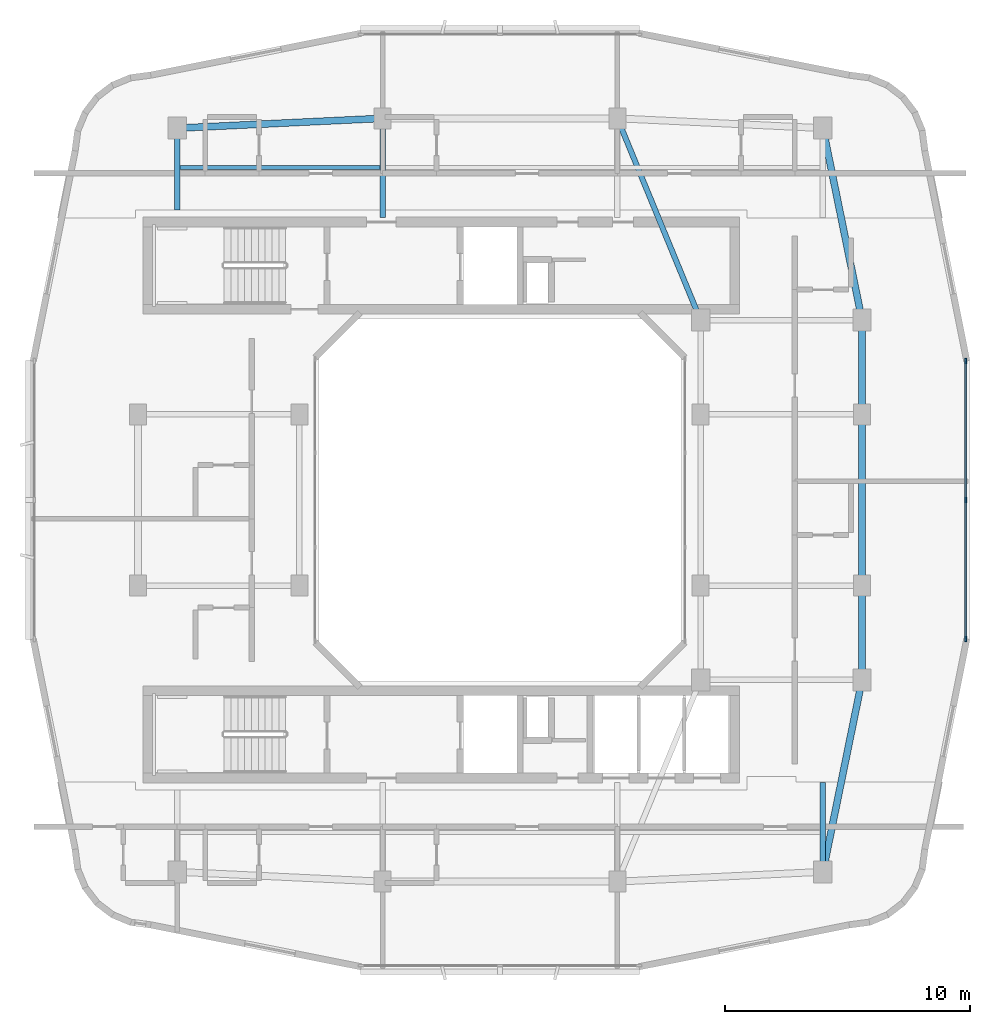
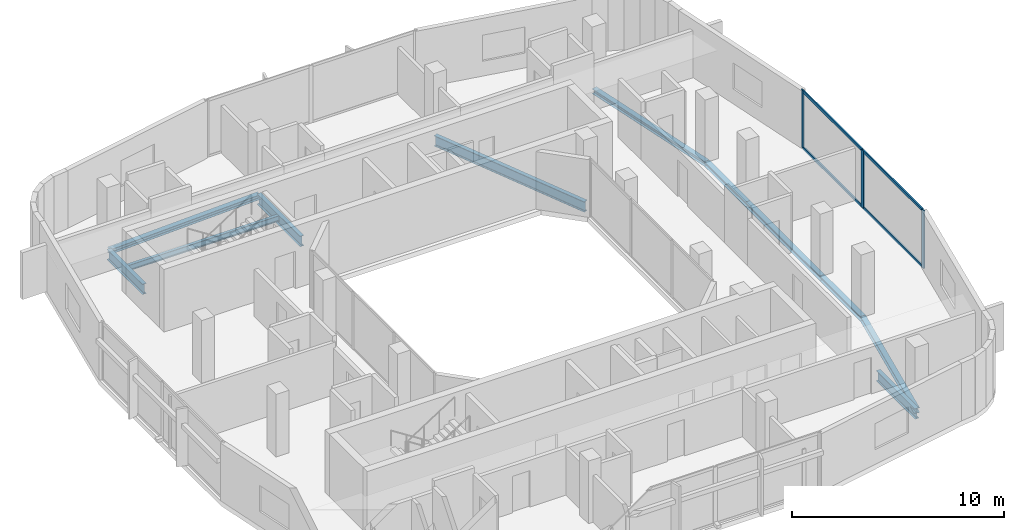
# One storey, part 4 of 14: 11 beams, 7 members, 1 element without a shape of its own.
"""IFC4 building model written with IfcOpenShell, lengths in metres."""

from ifc_helpers import new_model, si_unit, derived_unit, direction, frame, origin, origin_2d, place, context, subcontext, project, spatial, rectangle, i_section, extrude, material, layer, layer_set, material_profile, profile_set, type_object, element, aggregate, save


model = new_model("IFC4")

# Units and contexts
model_context = context("Model", 3, precision=1e-05, world=origin(), true_north=direction((0.0, 1.0)))
body_context = subcontext(model_context, "Body", "Model", "MODEL_VIEW")
ifc_project = project(units=[si_unit("LENGTHUNIT", "METRE"), si_unit("AREAUNIT", "SQUARE_METRE"), si_unit("VOLUMEUNIT", "CUBIC_METRE"), si_unit("PLANEANGLEUNIT", "RADIAN"), si_unit("MASSUNIT", "GRAM", prefix="KILO"), derived_unit("THERMALTRANSMITTANCEUNIT", [(si_unit("POWERUNIT", "WATT"), 1), (si_unit("LENGTHUNIT", "METRE"), -2), (si_unit("THERMODYNAMICTEMPERATUREUNIT", "KELVIN"), -1)])], contexts=[model_context])

# Site, building, storey
site_placement = place(None, origin())
site = spatial("IfcSite", under=ifc_project, at=site_placement, CompositionType="ELEMENT")
building_placement = place(site_placement, origin())
building = spatial("IfcBuilding", under=site, at=building_placement, Name="Kivonza Crest Hotel", CompositionType="ELEMENT")
storey_placement = place(building_placement, frame((0.0, 0.0, 217.10009765625)))
storey = spatial("IfcBuildingStorey", under=building, at=storey_placement, Name="L59", CompositionType="ELEMENT", Elevation=217.10009765625)

# Beams
ifc_material_1 = material(Name="Steel S355", Category="steel")
ifc_material_profile_1 = material_profile(ifc_material_1, i_section(OverallWidth=0.280029296875, OverallDepth=0.280029296875, WebThickness=0.010498046875, FlangeThickness=0.01806640625, FilletRadius=0.02392578125, at=origin_2d()), Name="HEB 280")
ifc_profile_set_1 = profile_set([ifc_material_profile_1], Name="Steel S355")
beam_type_1 = type_object("IfcBeamType", Name="BM-HEB280", PredefinedType="SPANDREL", material=ifc_profile_set_1)
beam_1_placement = place(storey_placement, frame((34.199951171875, 9.800048828125, -0.420166015625), z_axis=(0.199730733965, 0.979850822273, 0.0), x_axis=(-0.979850822273, 0.199730733965, 0.0)))
element("IfcBeam", 1, at=beam_1_placement, inside=storey, type_object=beam_type_1, Name="Tower T1 L59 perimeter spandrel SE-PSE", PredefinedType="SPANDREL", context=body_context, shape_type="SweptSolid", body=[
    extrude(i_section(OverallWidth=0.280029296875, OverallDepth=0.280029296875, WebThickness=0.010498046875, FlangeThickness=0.01806640625, FilletRadius=0.02392578125, at=origin_2d()), origin(), (0.0, 0.0, 1.0), 8.01123046875),
])
beam_2_placement = place(storey_placement, frame((35.800048828125, 17.64990234375, -0.420166015625), z_axis=(0.0, 1.0, 0.0), x_axis=(-1.0, 0.0, 0.0)))
element("IfcBeam", 2, at=beam_2_placement, inside=storey, type_object=beam_type_1, Name="Tower T1 L59 perimeter spandrel PSE-E1", PredefinedType="SPANDREL", context=body_context, shape_type="SweptSolid", body=[
    extrude(i_section(OverallWidth=0.280029296875, OverallDepth=0.280029296875, WebThickness=0.010498046875, FlangeThickness=0.01806640625, FilletRadius=0.02392578125, at=origin_2d()), origin(), (0.0, 0.0, 1.0), 3.85009765625),
])
beam_3_placement = place(storey_placement, frame((35.800048828125, 21.5, -0.420166015625), z_axis=(0.0, 1.0, 0.0), x_axis=(-1.0, 0.0, 0.0)))
element("IfcBeam", 3, at=beam_3_placement, inside=storey, type_object=beam_type_1, Name="Tower T1 L59 perimeter spandrel E1-E2", PredefinedType="SPANDREL", context=body_context, shape_type="SweptSolid", body=[
    extrude(i_section(OverallWidth=0.280029296875, OverallDepth=0.280029296875, WebThickness=0.010498046875, FlangeThickness=0.01806640625, FilletRadius=0.02392578125, at=origin_2d()), origin(), (0.0, 0.0, 1.0), 7.0),
])
beam_4_placement = place(storey_placement, frame((35.800048828125, 28.5, -0.420166015625), z_axis=(0.0, 1.0, 0.0), x_axis=(-1.0, 0.0, 0.0)))
element("IfcBeam", 4, at=beam_4_placement, inside=storey, type_object=beam_type_1, Name="Tower T1 L59 perimeter spandrel E2-PNE", PredefinedType="SPANDREL", context=body_context, shape_type="SweptSolid", body=[
    extrude(i_section(OverallWidth=0.280029296875, OverallDepth=0.280029296875, WebThickness=0.010498046875, FlangeThickness=0.01806640625, FilletRadius=0.02392578125, at=origin_2d()), origin(), (0.0, 0.0, 1.0), 3.85009765625),
])
beam_5_placement = place(storey_placement, frame((35.800048828125, 32.35009765625, -0.420166015625), z_axis=(-0.199730733965, 0.979850822273, 0.0), x_axis=(-0.979850822273, -0.199730733965, 0.0)))
element("IfcBeam", 5, at=beam_5_placement, inside=storey, type_object=beam_type_1, Name="Tower T1 L59 perimeter spandrel PNE-NE", PredefinedType="SPANDREL", context=body_context, shape_type="SweptSolid", body=[
    extrude(i_section(OverallWidth=0.280029296875, OverallDepth=0.280029296875, WebThickness=0.010498046875, FlangeThickness=0.01806640625, FilletRadius=0.02392578125, at=origin_2d()), origin(), (0.0, 0.0, 1.0), 8.01123046875),
])
beam_6_placement = place(storey_placement, frame((16.199951171875, 40.60009765625, -0.420166015625), z_axis=(-0.998867283688, -0.047583080799, 0.0), x_axis=(0.047583080799, -0.998867283688, 0.0)))
element("IfcBeam", 6, at=beam_6_placement, inside=storey, type_object=beam_type_1, Name="Tower T1 L59 perimeter spandrel N1-NW", PredefinedType="SPANDREL", context=body_context, shape_type="SweptSolid", body=[
    extrude(i_section(OverallWidth=0.280029296875, OverallDepth=0.280029296875, WebThickness=0.010498046875, FlangeThickness=0.01806640625, FilletRadius=0.02392578125, at=origin_2d()), origin(), (0.0, 0.0, 1.0), 8.409423828125),
])
ifc_material_profile_2 = material_profile(ifc_material_1, i_section(OverallWidth=0.159912109375, OverallDepth=0.330078125, WebThickness=0.007568359375, FlangeThickness=0.011474609375, FilletRadius=0.01806640625, at=origin_2d()), Name="IPE 330")
ifc_profile_set_2 = profile_set([ifc_material_profile_2], Name="Steel S355")
beam_type_2 = type_object("IfcBeamType", Name="BM-IPE330", PredefinedType="JOIST", material=ifc_profile_set_2)
beam_7_placement = place(storey_placement, frame((7.8798828125, 38.60009765625, -0.445068359375), z_axis=(1.0, 0.0, 0.0), x_axis=(0.0, 1.0, 0.0)))
element("IfcBeam", 7, at=beam_7_placement, inside=storey, type_object=beam_type_2, Name="Tower T1 L59 North-West floor joist", PredefinedType="JOIST", context=body_context, shape_type="SweptSolid", body=[
    extrude(i_section(OverallWidth=0.159912109375, OverallDepth=0.330078125, WebThickness=0.007568359375, FlangeThickness=0.011474609375, FilletRadius=0.01806640625, at=origin_2d()), origin(), (0.0, 0.0, 1.0), 8.240234375),
])
ifc_material_profile_3 = material_profile(ifc_material_1, i_section(OverallWidth=0.219970703125, OverallDepth=0.60009765625, WebThickness=0.011962890625, FlangeThickness=0.01904296875, FilletRadius=0.02392578125, at=origin_2d()), Name="IPE 600")
ifc_profile_set_3 = profile_set([ifc_material_profile_3], Name="Steel S355")
beam_type_3 = type_object("IfcBeamType", Name="BM-IPE600", PredefinedType="BEAM", material=ifc_profile_set_3)
beam_8_placement = place(storey_placement, frame((25.800048828125, 40.60009765625, -0.580078125), z_axis=(0.381022260404, -0.924565864109, 0.0), x_axis=(0.924565864109, 0.381022260404, 0.0)))
element("IfcBeam", 8, at=beam_8_placement, inside=storey, type_object=beam_type_3, Name="Tower T1 L59 primary girder N1-TNE", PredefinedType="BEAM", context=body_context, shape_type="SweptSolid", body=[
    extrude(i_section(OverallWidth=0.219970703125, OverallDepth=0.60009765625, WebThickness=0.011962890625, FlangeThickness=0.01904296875, FilletRadius=0.02392578125, at=origin_2d()), origin(), (0.0, 0.0, 1.0), 8.923095703125),
])
beam_9_placement = place(storey_placement, frame((34.199951171875, 9.800048828125, -0.580078125), z_axis=(0.0, 1.0, 0.0), x_axis=(-1.0, 0.0, 0.0)))
element("IfcBeam", 9, at=beam_9_placement, inside=storey, type_object=beam_type_3, Name="Tower T1 L59 radial core girder RSE", PredefinedType="BEAM", context=body_context, shape_type="SweptSolid", body=[
    extrude(i_section(OverallWidth=0.219970703125, OverallDepth=0.60009765625, WebThickness=0.011962890625, FlangeThickness=0.01904296875, FilletRadius=0.02392578125, at=origin_2d()), origin(), (0.0, 0.0, 1.0), 3.64990234375),
])
beam_10_placement = place(storey_placement, frame((7.800048828125, 40.199951171875, -0.580078125), z_axis=(0.0, -1.0, 0.0), x_axis=(1.0, 0.0, 0.0)))
element("IfcBeam", 10, at=beam_10_placement, inside=storey, type_object=beam_type_3, Name="Tower T1 L59 radial core girder RNW", PredefinedType="BEAM", context=body_context, shape_type="SweptSolid", body=[
    extrude(i_section(OverallWidth=0.219970703125, OverallDepth=0.60009765625, WebThickness=0.011962890625, FlangeThickness=0.01904296875, FilletRadius=0.02392578125, at=origin_2d()), origin(), (0.0, 0.0, 1.0), 3.349853515625),
])
beam_11_placement = place(storey_placement, frame((16.199951171875, 40.60009765625, -0.580078125), z_axis=(0.0, -1.0, 0.0), x_axis=(1.0, 0.0, 0.0)))
element("IfcBeam", 11, at=beam_11_placement, inside=storey, type_object=beam_type_3, Name="Tower T1 L59 radial core girder RN1", PredefinedType="BEAM", context=body_context, shape_type="SweptSolid", body=[
    extrude(i_section(OverallWidth=0.219970703125, OverallDepth=0.60009765625, WebThickness=0.011962890625, FlangeThickness=0.01904296875, FilletRadius=0.02392578125, at=origin_2d()), origin(), (0.0, 0.0, 1.0), 4.050048828125),
])

# Curtain wall, members
ifc_material_2 = material(Name="Anodised bronze aluminium and low-E double glazing", Category="aluminium")
ifc_layer = layer(ifc_material_2, 0.179931640625)
ifc_layer_set = layer_set([ifc_layer], Name="Anodised bronze aluminium and low-E double glazing")
curtain_wall_type = type_object("IfcCurtainWallType", Name="CW-SYS-3", PredefinedType="NOTDEFINED", material=ifc_layer_set)
curtain_wall_placement = place(storey_placement, origin())
curtain_wall = element("IfcCurtainWall", 12, at=curtain_wall_placement, inside=storey, type_object=curtain_wall_type, Name="L59 unitised curtain wall CW-T1-L59-17", PredefinedType="NOTDEFINED")
ifc_material_3 = material(Name="Anodised bronze aluminium", Category="aluminium")
ifc_material_profile_4 = material_profile(ifc_material_3, rectangle(XDim=0.074951171875, YDim=0.219970703125, at=origin_2d()), Name="CW-M 75x220")
ifc_profile_set_4 = profile_set([ifc_material_profile_4], Name="Anodised bronze aluminium")
member_type_1 = type_object("IfcMemberType", Name="CW-MUL-75x220", PredefinedType="MULLION", material=ifc_profile_set_4)
member_1_placement = place(storey_placement, frame((40.0400390625, 19.3173828125, 0.0), z_axis=(0.0, 0.0, 1.0), x_axis=(-1.0, 0.0, 0.0)))
member_1 = element("IfcMember", 13, at=member_1_placement, type_object=member_type_1, Name="CW-3 mullion 1", PredefinedType="MULLION", context=body_context, shape_type="SweptSolid", body=[
    extrude(rectangle(XDim=0.074951171875, YDim=0.219970703125, at=origin_2d()), origin(), (0.0, 0.0, 1.0), 3.31982421875),
])
member_2_placement = place(storey_placement, frame((40.0400390625, 25.0, 0.0), z_axis=(0.0, 0.0, 1.0), x_axis=(-1.0, 0.0, 0.0)))
member_2 = element("IfcMember", 14, at=member_2_placement, type_object=member_type_1, Name="CW-3 mullion 2", PredefinedType="MULLION", context=body_context, shape_type="SweptSolid", body=[
    extrude(rectangle(XDim=0.074951171875, YDim=0.219970703125, at=origin_2d()), origin(), (0.0, 0.0, 1.0), 3.31982421875),
])
member_3_placement = place(storey_placement, frame((40.0400390625, 30.6826171875, 0.0), z_axis=(0.0, 0.0, 1.0), x_axis=(-1.0, 0.0, 0.0)))
member_3 = element("IfcMember", 15, at=member_3_placement, type_object=member_type_1, Name="CW-3 mullion 3", PredefinedType="MULLION", context=body_context, shape_type="SweptSolid", body=[
    extrude(rectangle(XDim=0.074951171875, YDim=0.219970703125, at=origin_2d()), origin(), (0.0, 0.0, 1.0), 3.31982421875),
])
ifc_material_profile_5 = material_profile(ifc_material_3, rectangle(XDim=0.074951171875, YDim=0.159912109375, at=origin_2d()), Name="CW-T 75x160")
ifc_profile_set_5 = profile_set([ifc_material_profile_5], Name="Anodised bronze aluminium")
member_type_2 = type_object("IfcMemberType", Name="CW-TRN-75x160", PredefinedType="USERDEFINED", material=ifc_profile_set_5)
member_4_placement = place(storey_placement, frame((40.0400390625, 19.35498046875, 0.037353515625), z_axis=(0.0, 1.0, 0.0), x_axis=(-1.0, 0.0, 0.0)))
member_4 = element("IfcMember", 16, at=member_4_placement, type_object=member_type_2, Name="CW-3 transom 1.1", ObjectType="TRANSOM", PredefinedType="USERDEFINED", context=body_context, shape_type="SweptSolid", body=[
    extrude(rectangle(XDim=0.074951171875, YDim=0.159912109375, at=origin_2d()), origin(), (0.0, 0.0, 1.0), 5.607421875),
])
member_5_placement = place(storey_placement, frame((40.0400390625, 19.35498046875, 3.282470703125), z_axis=(0.0, 1.0, 0.0), x_axis=(-1.0, 0.0, 0.0)))
member_5 = element("IfcMember", 17, at=member_5_placement, type_object=member_type_2, Name="CW-3 transom 1.2", ObjectType="TRANSOM", PredefinedType="USERDEFINED", context=body_context, shape_type="SweptSolid", body=[
    extrude(rectangle(XDim=0.074951171875, YDim=0.159912109375, at=origin_2d()), origin(), (0.0, 0.0, 1.0), 5.607421875),
])
member_6_placement = place(storey_placement, frame((40.0400390625, 25.03759765625, 0.037353515625), z_axis=(0.0, 1.0, 0.0), x_axis=(-1.0, 0.0, 0.0)))
member_6 = element("IfcMember", 18, at=member_6_placement, type_object=member_type_2, Name="CW-3 transom 2.1", ObjectType="TRANSOM", PredefinedType="USERDEFINED", context=body_context, shape_type="SweptSolid", body=[
    extrude(rectangle(XDim=0.074951171875, YDim=0.159912109375, at=origin_2d()), origin(), (0.0, 0.0, 1.0), 5.607421875),
])
member_7_placement = place(storey_placement, frame((40.0400390625, 25.03759765625, 3.282470703125), z_axis=(0.0, 1.0, 0.0), x_axis=(-1.0, 0.0, 0.0)))
member_7 = element("IfcMember", 19, at=member_7_placement, type_object=member_type_2, Name="CW-3 transom 2.2", ObjectType="TRANSOM", PredefinedType="USERDEFINED", context=body_context, shape_type="SweptSolid", body=[
    extrude(rectangle(XDim=0.074951171875, YDim=0.159912109375, at=origin_2d()), origin(), (0.0, 0.0, 1.0), 5.607421875),
])
aggregate(curtain_wall, [member_1, member_2, member_3, member_4, member_5, member_6, member_7])

save(model, "model.ifc")
